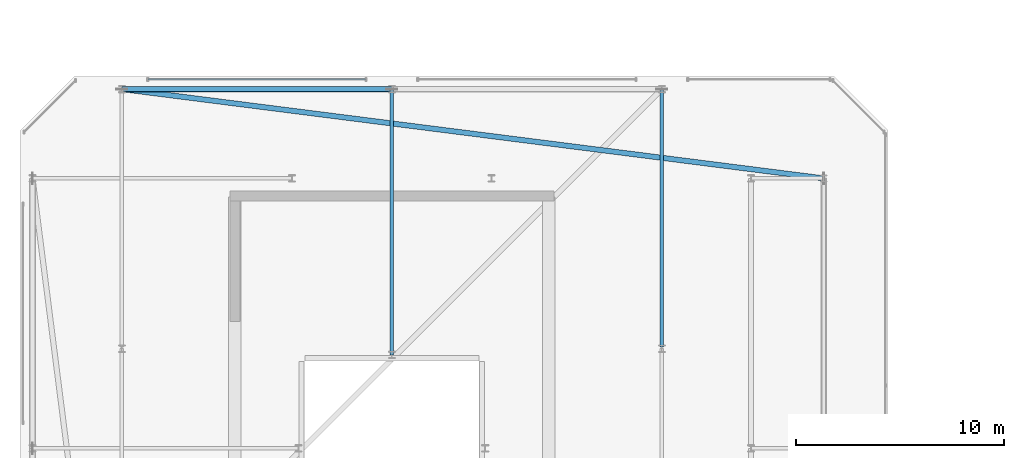
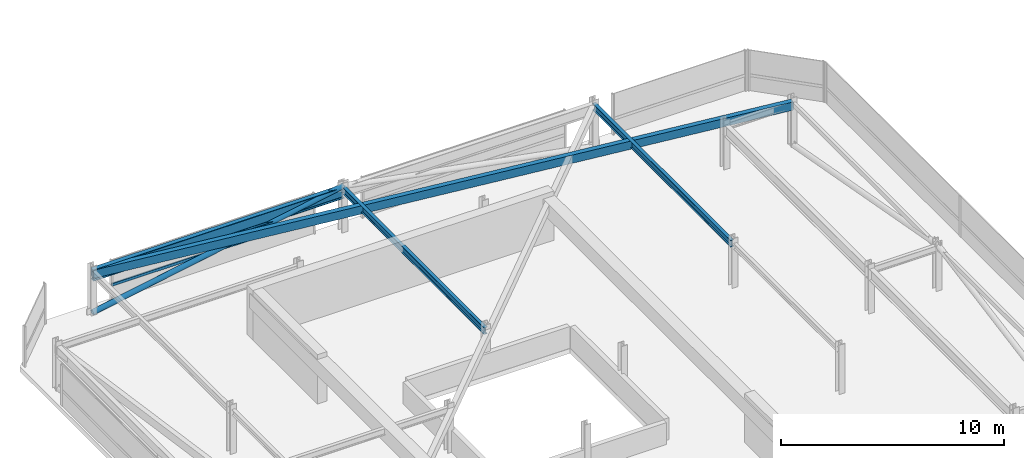
# One storey, part 23 of 42: 4 beams, 2 members, 1 element without a shape of its own.
"""IFC4 building model written with IfcOpenShell, lengths in metres."""

from ifc_helpers import new_model, si_unit, direction, frame, origin, origin_2d, place, context, subcontext, project, spatial, hollow_rectangle, hollow_circle, i_section, extrude, material, material_profile, profile_set, type_object, element, aggregate, save


model = new_model("IFC4")

# Units and contexts
model_context = context("Model", 3, precision=1e-05, world=origin(), true_north=direction((0.0, 1.0)))
body_context = subcontext(model_context, "Body", "Model", "MODEL_VIEW")
ifc_project = project(units=[si_unit("LENGTHUNIT", "METRE"), si_unit("AREAUNIT", "SQUARE_METRE"), si_unit("VOLUMEUNIT", "CUBIC_METRE"), si_unit("PLANEANGLEUNIT", "RADIAN"), si_unit("MASSUNIT", "GRAM", prefix="KILO")], contexts=[model_context])

# Site, building, storey
site_placement = place(None, origin())
site = spatial("IfcSite", under=ifc_project, at=site_placement, CompositionType="ELEMENT")
building_placement = place(site_placement, origin())
building = spatial("IfcBuilding", under=site, at=building_placement, Name="Thornwick Lancets Civic Towers", CompositionType="ELEMENT")
storey_placement = place(building_placement, frame((0.0, 0.0, 286.800048828125)))
storey = spatial("IfcBuildingStorey", under=building, at=storey_placement, Name="C03", CompositionType="ELEMENT", Elevation=286.800048828125)

# Beams
ifc_material_1 = material(Name="Steel S355JR", Category="steel")
ifc_material_profile_1 = material_profile(ifc_material_1, i_section(OverallWidth=0.230224609375, OverallDepth=0.6171875, WebThickness=0.01318359375, FlangeThickness=0.022216796875, FilletRadius=0.0126953125, at=origin_2d()), Name="UKB 610x229x140")
ifc_profile_set_1 = profile_set([ifc_material_profile_1], Name="Steel S355JR")
beam_type_1 = type_object("IfcBeamType", Name="BM_GIRD_610_140", PredefinedType="BEAM", material=ifc_profile_set_1)
beam_1_placement = place(storey_placement, frame((12.5, 44.300048828125, 2.13134765625), z_axis=(1.0, 0.0, 0.0), x_axis=(0.0, 1.0, 0.0)))
element("IfcBeam", 1, at=beam_1_placement, inside=storey, type_object=beam_type_1, Name="BM-SPINE-C03-A-6-7", PredefinedType="BEAM", context=body_context, shape_type="SweptSolid", body=[
    extrude(i_section(OverallWidth=0.230224609375, OverallDepth=0.6171875, WebThickness=0.01318359375, FlangeThickness=0.022216796875, FilletRadius=0.0126953125, at=origin_2d()), origin(), (0.0, 0.0, 1.0), 13.0),
])
ifc_material_profile_2 = material_profile(ifc_material_1, i_section(OverallWidth=0.173095703125, OverallDepth=0.36328125, WebThickness=0.009033203125, FlangeThickness=0.015625, FilletRadius=0.01025390625, at=origin_2d()), Name="UKB 356x171x67")
ifc_profile_set_2 = profile_set([ifc_material_profile_2], Name="Steel S355JR")
beam_type_2 = type_object("IfcBeamType", Name="BM_JOIST_356_67", PredefinedType="JOIST", material=ifc_profile_set_2)
beam_2_placement = place(storey_placement, frame((25.5, 31.5, 2.25830078125), z_axis=(0.0, 1.0, 0.0), x_axis=(-1.0, 0.0, 0.0)))
element("IfcBeam", 2, at=beam_2_placement, inside=storey, type_object=beam_type_2, Name="BM-RADIN-C03-A08", PredefinedType="JOIST", context=body_context, shape_type="SweptSolid", body=[
    extrude(i_section(OverallWidth=0.173095703125, OverallDepth=0.36328125, WebThickness=0.009033203125, FlangeThickness=0.015625, FilletRadius=0.01025390625, at=origin_2d()), origin(), (0.0, 0.0, 1.0), 12.800048828125),
])
beam_3_placement = place(storey_placement, frame((38.5, 31.8798828125, 2.25830078125), z_axis=(0.0, 1.0, 0.0), x_axis=(-1.0, 0.0, 0.0)))
element("IfcBeam", 3, at=beam_3_placement, inside=storey, type_object=beam_type_2, Name="BM-RADIN-C03-A09", PredefinedType="JOIST", context=body_context, shape_type="SweptSolid", body=[
    extrude(i_section(OverallWidth=0.173095703125, OverallDepth=0.36328125, WebThickness=0.009033203125, FlangeThickness=0.015625, FilletRadius=0.01025390625, at=origin_2d()), origin(), (0.0, 0.0, 1.0), 12.420166015625),
])
ifc_material_profile_3 = material_profile(ifc_material_1, hollow_rectangle(XDim=0.25, YDim=0.449951171875, WallThickness=0.01611328125, at=origin_2d()), Name="RHS 450x250x16")
ifc_profile_set_3 = profile_set([ifc_material_profile_3], Name="Steel S355JR")
beam_type_3 = type_object("IfcBeamType", Name="BM_RING_RHS450", PredefinedType="BEAM", material=ifc_profile_set_3)
beam_4_placement = place(storey_placement, frame((46.300048828125, 40.0, 2.21484375), z_axis=(-0.992004437051, 0.126202998662, 0.0), x_axis=(-0.126202998662, -0.992004437051, 0.0)))
element("IfcBeam", 4, at=beam_4_placement, inside=storey, type_object=beam_type_3, Name="BM-CHAMF-C03-A-C1", PredefinedType="BEAM", context=body_context, shape_type="SweptSolid", body=[
    extrude(hollow_rectangle(XDim=0.25, YDim=0.449951171875, WallThickness=0.01611328125, at=origin_2d()), origin(), (0.0, 0.0, 1.0), 34.072509765625),
])

# Curtain wall, member
ifc_material_2 = material(Name="Crown ring acoustic-louvre and glazing screen wall", Category="glass")
curtain_wall_type = type_object("IfcCurtainWallType", Name="CW_SYS_07", PredefinedType="NOTDEFINED", material=ifc_material_2)
curtain_wall_placement = place(storey_placement, origin())
curtain_wall = element("IfcCurtainWall", 5, at=curtain_wall_placement, inside=storey, type_object=curtain_wall_type, Name="C03 Curtain Wall CW-C03-A-E4-S3", PredefinedType="NOTDEFINED")
ifc_material_3 = material(Name="Thermally broken bronze aluminium S355", Category="steel")
ifc_material_profile_4 = material_profile(ifc_material_3, hollow_rectangle(XDim=0.074951171875, YDim=0.14990234375, WallThickness=0.0048828125, at=origin_2d()), Name="RHS 150x75x5")
ifc_profile_set_4 = profile_set([ifc_material_profile_4], Name="Thermally broken bronze aluminium S355")
member_type_1 = type_object("IfcMemberType", Name="CW_TRN_150", PredefinedType="USERDEFINED", material=ifc_profile_set_4)
member_1_placement = place(storey_placement, frame((24.22998046875, 44.7646484375, 0.849853515625), z_axis=(-1.0, 0.0, 0.0), x_axis=(0.0, -1.0, 0.0)))
member_1 = element("IfcMember", 6, at=member_1_placement, type_object=member_type_1, Name="CW-C03-A-E4-S3 Transom 0", ObjectType="TRANSOM", PredefinedType="USERDEFINED", context=body_context, shape_type="SweptSolid", body=[
    extrude(hollow_rectangle(XDim=0.074951171875, YDim=0.14990234375, WallThickness=0.0048828125, at=origin_2d()), origin(), (0.0, 0.0, 1.0), 10.4599609375),
])
aggregate(curtain_wall, [member_1])

# Member
ifc_material_profile_5 = material_profile(ifc_material_1, hollow_circle(Radius=0.136474609375, WallThickness=0.012451171875, at=origin_2d()), Name="CHS 273x12.5")
ifc_profile_set_5 = profile_set([ifc_material_profile_5], Name="Steel S355JR")
member_type_2 = type_object("IfcMemberType", Name="MEM_CROWN_CHS273", PredefinedType="BRACE", material=ifc_profile_set_5)
member_2_placement = place(storey_placement, frame((12.5, 44.300048828125, 0.050048828125), z_axis=(0.98351842104, 0.0, 0.180807951915), x_axis=(0.0, 1.0, 0.0)))
element("IfcMember", 7, at=member_2_placement, inside=storey, type_object=member_type_2, Name="C03 Crown Ring Lancet Rib A-S2-L", PredefinedType="BRACE", context=body_context, shape_type="SweptSolid", body=[
    extrude(hollow_circle(Radius=0.136474609375, WallThickness=0.012451171875, at=origin_2d()), origin(), (0.0, 0.0, 1.0), 13.2177734375),
])

save(model, "model.ifc")
